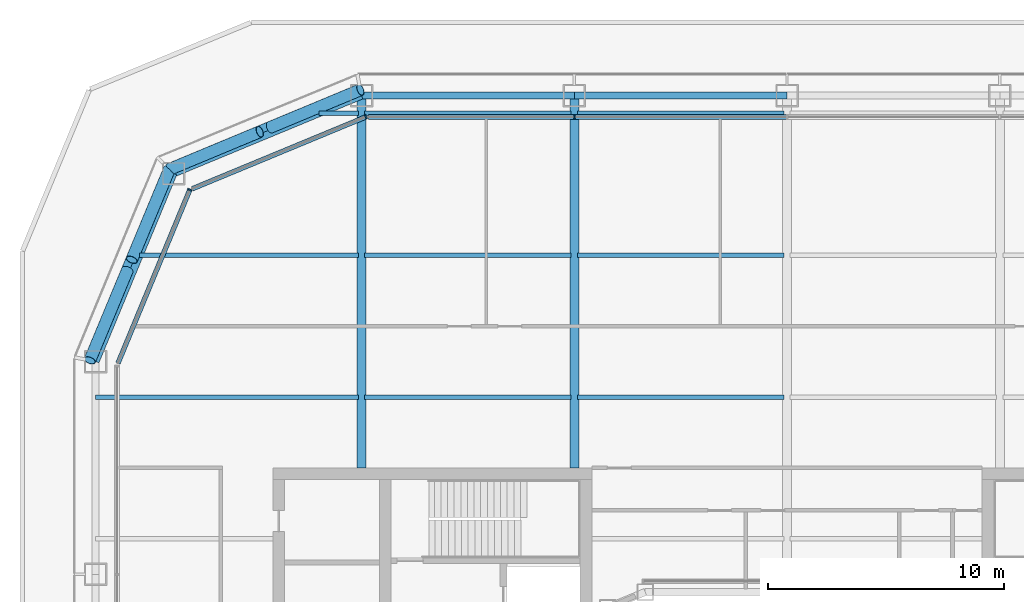
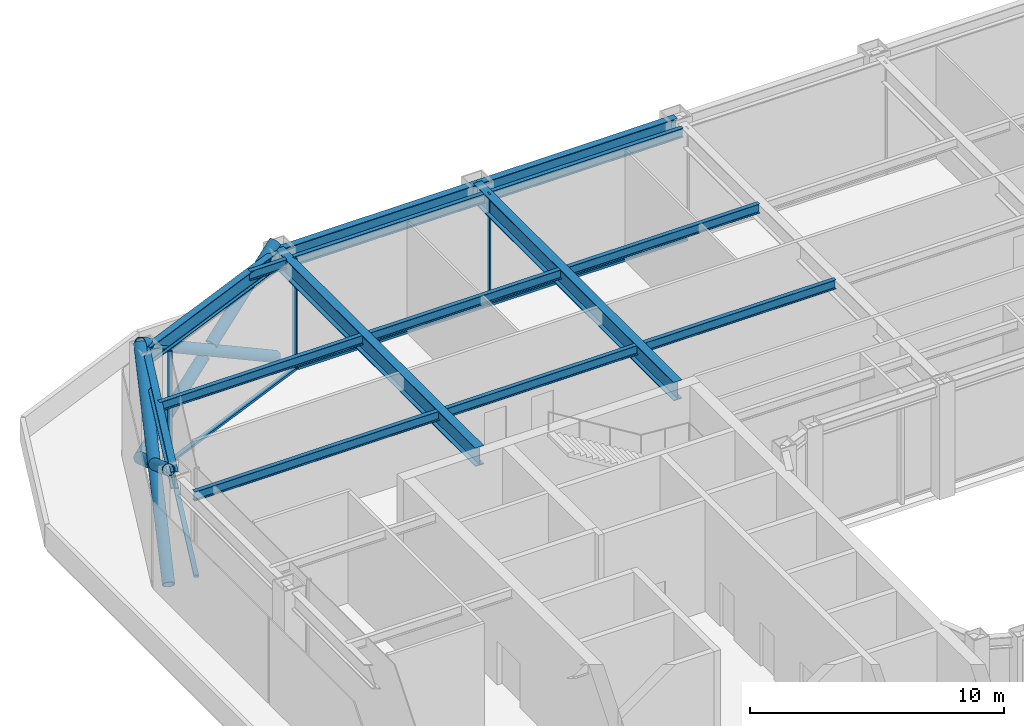
# One storey, part 7 of 21: 15 beams, 13 members, 3 elements without a shape of their own.
"""IFC4 building model written with IfcOpenShell, lengths in metres."""

from ifc_helpers import new_model, si_unit, direction, frame, origin, origin_2d, place, context, subcontext, project, spatial, rectangle, hollow_circle, i_section, extrude, material, layer, layer_set, material_profile, profile_set, type_object, element, aggregate, save


model = new_model("IFC4")

# Units and contexts
model_context = context("Model", 3, precision=1e-05, world=origin(), true_north=direction((0.0, 1.0)))
body_context = subcontext(model_context, "Body", "Model", "MODEL_VIEW")
ifc_project = project(units=[si_unit("LENGTHUNIT", "METRE"), si_unit("AREAUNIT", "SQUARE_METRE"), si_unit("VOLUMEUNIT", "CUBIC_METRE"), si_unit("PLANEANGLEUNIT", "RADIAN"), si_unit("MASSUNIT", "GRAM", prefix="KILO")], contexts=[model_context])

# Site, building, storey
site_placement = place(None, origin())
site = spatial("IfcSite", under=ifc_project, at=site_placement, CompositionType="ELEMENT")
building_placement = place(site_placement, origin())
building = spatial("IfcBuilding", under=site, at=building_placement, Name="Siwar Civic Tower", CompositionType="ELEMENT")
storey_placement = place(building_placement, frame((0.0, 0.0, 99.199951171875)))
storey = spatial("IfcBuildingStorey", under=building, at=storey_placement, Name="L21", CompositionType="ELEMENT", Elevation=99.199951171875)

# Curtain wall, member
ifc_material_1 = material(Name="Aluminium and glass", Category="aluminium")
ifc_layer_1 = layer(ifc_material_1, 0.199951171875)
ifc_layer_set_1 = layer_set([ifc_layer_1], Name="Aluminium and glass")
curtain_wall_type_1 = type_object("IfcCurtainWallType", Name="ENV-CW-B", PredefinedType="NOTDEFINED", material=ifc_layer_set_1)
curtain_wall_1_placement = place(storey_placement, origin())
curtain_wall_1 = element("IfcCurtainWall", 1, at=curtain_wall_1_placement, inside=storey, type_object=curtain_wall_type_1, Name="Curtain wall B N", PredefinedType="NOTDEFINED")
ifc_material_2 = material(Name="Aluminium 6063-T6", Category="aluminium")
ifc_material_profile_1 = material_profile(ifc_material_2, rectangle(XDim=0.199951171875, YDim=0.06494140625, at=origin_2d()), Name="AL 200x65")
ifc_profile_set_1 = profile_set([ifc_material_profile_1], Name="Aluminium 6063-T6")
member_type_1 = type_object("IfcMemberType", Name="ENV-MULLION-B", PredefinedType="MULLION", material=ifc_profile_set_1)
member_1_placement = place(storey_placement, frame((-9.0, 28.35009765625, 0.0), z_axis=(0.0, 0.0, 1.0), x_axis=(0.0, -1.0, 0.0)))
member_1 = element("IfcMember", 2, at=member_1_placement, type_object=member_type_1, Name="Mullion B N 4", PredefinedType="MULLION", context=body_context, shape_type="SweptSolid", body=[
    extrude(rectangle(XDim=0.199951171875, YDim=0.06494140625, at=origin_2d()), origin(), (0.0, 0.0, 1.0), 5.35009765625),
])

ifc_material_3 = material(Name="Aluminium clad insulated panel", Category="aluminium")
ifc_layer_2 = layer(ifc_material_3, 0.199951171875)
ifc_layer_set_2 = layer_set([ifc_layer_2], Name="Aluminium clad insulated panel")
curtain_wall_type_2 = type_object("IfcCurtainWallType", Name="ENV-CW-BX", PredefinedType="NOTDEFINED", material=ifc_layer_set_2)
curtain_wall_2_placement = place(storey_placement, origin())
curtain_wall_2 = element("IfcCurtainWall", 3, at=curtain_wall_2_placement, inside=storey, type_object=curtain_wall_type_2, Name="Curtain wall B NW1", PredefinedType="NOTDEFINED")
member_2_placement = place(storey_placement, frame((-17.821044921875, 28.35009765625, 0.0), z_axis=(0.0, 0.0, 1.0), x_axis=(0.382683432365, -0.923879532511, 0.0)))
member_2 = element("IfcMember", 4, at=member_2_placement, type_object=member_type_1, Name="Mullion B NW1 1", PredefinedType="MULLION", context=body_context, shape_type="SweptSolid", body=[
    extrude(rectangle(XDim=0.199951171875, YDim=0.06494140625, at=origin_2d()), origin(), (0.0, 0.0, 1.0), 5.35009765625),
])

curtain_wall_3_placement = place(storey_placement, origin())
curtain_wall_3 = element("IfcCurtainWall", 5, at=curtain_wall_3_placement, inside=storey, type_object=curtain_wall_type_2, Name="Curtain wall B NW2", PredefinedType="NOTDEFINED")
member_3_placement = place(storey_placement, frame((-25.26611328125, 25.26611328125, 0.0), z_axis=(0.0, 0.0, 1.0), x_axis=(0.923879532511, -0.382683432365, 0.0)))
member_3 = element("IfcMember", 6, at=member_3_placement, type_object=member_type_1, Name="Mullion B NW2 1", PredefinedType="MULLION", context=body_context, shape_type="SweptSolid", body=[
    extrude(rectangle(XDim=0.199951171875, YDim=0.06494140625, at=origin_2d()), origin(), (0.0, 0.0, 1.0), 5.35009765625),
])

# Member
ifc_material_4 = material(Name="Aluminium 6063-T6", Category="aluminium")
ifc_material_profile_2 = material_profile(ifc_material_4, rectangle(XDim=0.199951171875, YDim=0.110107421875, at=origin_2d()), Name="AL 200x110")
ifc_profile_set_2 = profile_set([ifc_material_profile_2], Name="Aluminium 6063-T6")
member_type_2 = type_object("IfcMemberType", Name="ENV-TRANSOM-B", PredefinedType="USERDEFINED", material=ifc_profile_set_2)
member_4_placement = place(storey_placement, frame((-0.032470703125, 28.35009765625, 0.054931640625), z_axis=(-1.0, 0.0, 0.0), x_axis=(0.0, -1.0, 0.0)))
member_4 = element("IfcMember", 7, at=member_4_placement, type_object=member_type_2, Name="Transom B N 3", ObjectType="TRANSOM", PredefinedType="USERDEFINED", context=body_context, shape_type="SweptSolid", body=[
    extrude(rectangle(XDim=0.199951171875, YDim=0.110107421875, at=origin_2d()), origin(), (0.0, 0.0, 1.0), 8.93505859375),
])

member_5_placement = place(storey_placement, frame((-9.032470703125, 28.35009765625, 0.054931640625), z_axis=(-1.0, 0.0, 0.0), x_axis=(0.0, -1.0, 0.0)))
member_5 = element("IfcMember", 8, at=member_5_placement, type_object=member_type_2, Name="Transom B N 4", ObjectType="TRANSOM", PredefinedType="USERDEFINED", context=body_context, shape_type="SweptSolid", body=[
    extrude(rectangle(XDim=0.199951171875, YDim=0.110107421875, at=origin_2d()), origin(), (0.0, 0.0, 1.0), 8.6748046875),
])

aggregate(curtain_wall_1, [member_1, member_4, member_5])

member_6_placement = place(storey_placement, frame((-17.85107421875, 28.337646484375, 0.054931640625), z_axis=(-0.92387279587, -0.382699695651, 0.0), x_axis=(0.382699695651, -0.92387279587, 0.0)))
member_6 = element("IfcMember", 9, at=member_6_placement, type_object=member_type_2, Name="Transom B NW1 1", ObjectType="TRANSOM", PredefinedType="USERDEFINED", context=body_context, shape_type="SweptSolid", body=[
    extrude(rectangle(XDim=0.199951171875, YDim=0.110107421875, at=origin_2d()), origin(), (0.0, 0.0, 1.0), 7.912353515625),
])

aggregate(curtain_wall_2, [member_2, member_6])

member_7_placement = place(storey_placement, frame((-25.278564453125, 25.236083984375, 0.054931640625), z_axis=(-0.382673358825, -0.923883705044, 0.0), x_axis=(0.923883705044, -0.382673358825, 0.0)))
member_7 = element("IfcMember", 10, at=member_7_placement, type_object=member_type_2, Name="Transom B NW2 1", ObjectType="TRANSOM", PredefinedType="USERDEFINED", context=body_context, shape_type="SweptSolid", body=[
    extrude(rectangle(XDim=0.199951171875, YDim=0.110107421875, at=origin_2d()), origin(), (0.0, 0.0, 1.0), 7.912353515625),
])

aggregate(curtain_wall_3, [member_3, member_7])

# Members
ifc_material_5 = material(Name="Steel S355", Category="steel")
ifc_material_profile_3 = material_profile(ifc_material_5, hollow_circle(Radius=0.25390625, WallThickness=0.02490234375, at=origin_2d()), Name="CHS508x25")
ifc_profile_set_3 = profile_set([ifc_material_profile_3], Name="Steel S355")
member_type_3 = type_object("IfcMemberType", Name="STR-BR-CHS508x25", PredefinedType="BRACE", material=ifc_profile_set_3)
member_8_placement = place(storey_placement, frame((-29.4951171875, 18.048828125, 0.0), z_axis=(0.325297769627, 0.781791416726, 0.531961974025), x_axis=(-0.923264922524, 0.384163874976, 0.0)))
element("IfcMember", 11, at=member_8_placement, inside=storey, type_object=member_type_3, Name="L21/brc/BNW1-0-0-1", PredefinedType="BRACE", context=body_context, shape_type="SweptSolid", body=[
    extrude(hollow_circle(Radius=0.25390625, WallThickness=0.02490234375, at=origin_2d()), origin(), (0.0, 0.0, 1.0), 10.339111328125),
])
member_9_placement = place(storey_placement, frame((-26.1318359375, 26.1318359375, 0.0), z_axis=(-0.32528364531, -0.781798459077, 0.531960261183), x_axis=(0.923272065995, -0.38414670655, 0.0)))
element("IfcMember", 12, at=member_9_placement, inside=storey, type_object=member_type_3, Name="L21/brc/BNW1-0-0-2", PredefinedType="BRACE", context=body_context, shape_type="SweptSolid", body=[
    extrude(hollow_circle(Radius=0.25390625, WallThickness=0.02490234375, at=origin_2d()), origin(), (0.0, 0.0, 1.0), 4.892822265625),
])
member_10_placement = place(storey_placement, frame((-27.903564453125, 21.873779296875, 2.8974609375), z_axis=(-0.325304970127, -0.781799810857, 0.531945234169), x_axis=(0.923263369469, -0.384167607428, 0.0)))
element("IfcMember", 13, at=member_10_placement, inside=storey, type_object=member_type_3, Name="L21/brc/BNW1-0-0-3", PredefinedType="BRACE", context=body_context, shape_type="SweptSolid", body=[
    extrude(hollow_circle(Radius=0.25390625, WallThickness=0.02490234375, at=origin_2d()), origin(), (0.0, 0.0, 1.0), 4.892578125),
])
member_11_placement = place(storey_placement, frame((-18.048828125, 29.4951171875, 0.0), z_axis=(-0.781791416726, -0.325297769627, 0.531961974025), x_axis=(0.384163874976, -0.923264922524, 0.0)))
element("IfcMember", 14, at=member_11_placement, inside=storey, type_object=member_type_3, Name="L21/brc/BNW1-0-0-0", PredefinedType="BRACE", context=body_context, shape_type="SweptSolid", body=[
    extrude(hollow_circle(Radius=0.25390625, WallThickness=0.02490234375, at=origin_2d()), origin(), (0.0, 0.0, 1.0), 10.339111328125),
])
member_12_placement = place(storey_placement, frame((-26.1318359375, 26.1318359375, 0.0), z_axis=(0.781798459077, 0.32528364531, 0.531960261183), x_axis=(-0.38414670655, 0.923272065995, 0.0)))
element("IfcMember", 15, at=member_12_placement, inside=storey, type_object=member_type_3, Name="L21/brc/BNW1-0-0-4", PredefinedType="BRACE", context=body_context, shape_type="SweptSolid", body=[
    extrude(hollow_circle(Radius=0.25390625, WallThickness=0.02490234375, at=origin_2d()), origin(), (0.0, 0.0, 1.0), 4.892822265625),
])
member_13_placement = place(storey_placement, frame((-21.873779296875, 27.903564453125, 2.8974609375), z_axis=(0.781799810857, 0.325304970127, 0.531945234169), x_axis=(-0.384167607428, 0.923263369469, 0.0)))
element("IfcMember", 16, at=member_13_placement, inside=storey, type_object=member_type_3, Name="L21/brc/BNW1-0-0-5", PredefinedType="BRACE", context=body_context, shape_type="SweptSolid", body=[
    extrude(hollow_circle(Radius=0.25390625, WallThickness=0.02490234375, at=origin_2d()), origin(), (0.0, 0.0, 1.0), 4.892578125),
])

# Beams
ifc_material_6 = material(Name="Steel S355", Category="steel")
ifc_material_profile_4 = material_profile(ifc_material_6, i_section(OverallWidth=0.18994140625, OverallDepth=0.449951171875, WebThickness=0.009521484375, FlangeThickness=0.0146484375, FilletRadius=0.02099609375, at=origin_2d()), Name="IPE450")
ifc_profile_set_4 = profile_set([ifc_material_profile_4], Name="Steel S355")
beam_type_1 = type_object("IfcBeamType", Name="STR-FB-IPE450", PredefinedType="JOIST", material=ifc_profile_set_4)
beam_1_placement = place(storey_placement, frame((-29.25, 16.5, 5.125), z_axis=(1.0, 0.0, 0.0), x_axis=(0.0, 1.0, 0.0)))
element("IfcBeam", 17, at=beam_1_placement, inside=storey, type_object=beam_type_1, Name="L21/bm/F031", PredefinedType="JOIST", context=body_context, shape_type="SweptSolid", body=[
    extrude(i_section(OverallWidth=0.18994140625, OverallDepth=0.449951171875, WebThickness=0.009521484375, FlangeThickness=0.0146484375, FilletRadius=0.02099609375, at=origin_2d()), origin(), (0.0, 0.0, 1.0), 11.1201171875),
])
for number, where, z_axis, x_axis, name in (
    (18, (-17.8701171875, 16.5, 5.125), (1.0, 0.0, 0.0), (0.0, 1.0, 0.0), "L21/bm/F032"),
    (19, (-8.8701171875, 16.5, 5.125), (1.0, 0.0, 0.0), (0.0, 1.0, 0.0), "L21/bm/F033"),
):
    element("IfcBeam", number, at=place(storey_placement, frame(where, z_axis=z_axis, x_axis=x_axis)), inside=storey, type_object=beam_type_1, Name=name, PredefinedType="JOIST", context=body_context, shape_type="SweptSolid", body=[
        extrude(i_section(OverallWidth=0.18994140625, OverallDepth=0.449951171875, WebThickness=0.009521484375, FlangeThickness=0.0146484375, FilletRadius=0.02099609375, at=origin_2d()), origin(), (0.0, 0.0, 1.0), 8.740234375),
    ])
beam_2_placement = place(storey_placement, frame((-27.385986328125, 22.5, 5.125), z_axis=(1.0, 0.0, 0.0), x_axis=(0.0, 1.0, 0.0)))
element("IfcBeam", 20, at=beam_2_placement, inside=storey, type_object=beam_type_1, Name="L21/bm/F037", PredefinedType="JOIST", context=body_context, shape_type="SweptSolid", body=[
    extrude(i_section(OverallWidth=0.18994140625, OverallDepth=0.449951171875, WebThickness=0.009521484375, FlangeThickness=0.0146484375, FilletRadius=0.02099609375, at=origin_2d()), origin(), (0.0, 0.0, 1.0), 9.256103515625),
])
for number, where, z_axis, x_axis, name in (
    (21, (-17.8701171875, 22.5, 5.125), (1.0, 0.0, 0.0), (0.0, 1.0, 0.0), "L21/bm/F038"),
    (22, (-8.8701171875, 22.5, 5.125), (1.0, 0.0, 0.0), (0.0, 1.0, 0.0), "L21/bm/F039"),
):
    element("IfcBeam", number, at=place(storey_placement, frame(where, z_axis=z_axis, x_axis=x_axis)), inside=storey, type_object=beam_type_1, Name=name, PredefinedType="JOIST", context=body_context, shape_type="SweptSolid", body=[
        extrude(i_section(OverallWidth=0.18994140625, OverallDepth=0.449951171875, WebThickness=0.009521484375, FlangeThickness=0.0146484375, FilletRadius=0.02099609375, at=origin_2d()), origin(), (0.0, 0.0, 1.0), 8.740234375),
    ])
beam_3_placement = place(storey_placement, frame((-19.810546875, 28.5, 5.125), z_axis=(1.0, 0.0, 0.0), x_axis=(0.0, 1.0, 0.0)))
element("IfcBeam", 23, at=beam_3_placement, inside=storey, type_object=beam_type_1, Name="L21/bm/F043", PredefinedType="JOIST", context=body_context, shape_type="SweptSolid", body=[
    extrude(i_section(OverallWidth=0.18994140625, OverallDepth=0.449951171875, WebThickness=0.009521484375, FlangeThickness=0.0146484375, FilletRadius=0.02099609375, at=origin_2d()), origin(), (0.0, 0.0, 1.0), 1.6806640625),
])
for number, where, z_axis, x_axis, name in (
    (24, (-17.8701171875, 28.5, 5.125), (1.0, 0.0, 0.0), (0.0, 1.0, 0.0), "L21/bm/F044"),
    (25, (-8.8701171875, 28.5, 5.125), (1.0, 0.0, 0.0), (0.0, 1.0, 0.0), "L21/bm/F045"),
):
    element("IfcBeam", number, at=place(storey_placement, frame(where, z_axis=z_axis, x_axis=x_axis)), inside=storey, type_object=beam_type_1, Name=name, PredefinedType="JOIST", context=body_context, shape_type="SweptSolid", body=[
        extrude(i_section(OverallWidth=0.18994140625, OverallDepth=0.449951171875, WebThickness=0.009521484375, FlangeThickness=0.0146484375, FilletRadius=0.02099609375, at=origin_2d()), origin(), (0.0, 0.0, 1.0), 8.740234375),
    ])
ifc_material_7 = material(Name="Steel S355", Category="steel")
ifc_material_profile_5 = material_profile(ifc_material_7, i_section(OverallWidth=0.3798828125, OverallDepth=0.89990234375, WebThickness=0.01611328125, FlangeThickness=0.035888671875, at=origin_2d()), Name="PG900x380x16x36")
ifc_profile_set_5 = profile_set([ifc_material_profile_5], Name="Steel S355")
beam_type_2 = type_object("IfcBeamType", Name="STR-PG-PG900x380x16x36", PredefinedType="BEAM", material=ifc_profile_set_5)
for number, where, z_axis, x_axis, name in (
    (26, (-18.0, 13.5, 4.900146484375), (0.0, 1.0, 0.0), (-1.0, 0.0, 0.0), "L21/bm/G02"),
    (27, (-9.0, 13.5, 4.900146484375), (0.0, 1.0, 0.0), (-1.0, 0.0, 0.0), "L21/bm/G04"),
):
    element("IfcBeam", number, at=place(storey_placement, frame(where, z_axis=z_axis, x_axis=x_axis)), inside=storey, type_object=beam_type_2, Name=name, PredefinedType="BEAM", context=body_context, shape_type="SweptSolid", body=[
        extrude(i_section(OverallWidth=0.3798828125, OverallDepth=0.89990234375, WebThickness=0.01611328125, FlangeThickness=0.035888671875, at=origin_2d()), origin(), (0.0, 0.0, 1.0), 15.75),
    ])
ifc_material_8 = material(Name="Steel S355", Category="steel")
ifc_material_profile_6 = material_profile(ifc_material_8, i_section(OverallWidth=0.300048828125, OverallDepth=0.800048828125, WebThickness=0.017578125, FlangeThickness=0.032958984375, FilletRadius=0.030029296875, at=origin_2d()), Name="HEB800")
ifc_profile_set_6 = profile_set([ifc_material_profile_6], Name="Steel S355")
beam_type_3 = type_object("IfcBeamType", Name="STR-SB-HEB800", PredefinedType="BEAM", material=ifc_profile_set_6)
for number, where, z_axis, x_axis, name in (
    (28, (0.0, 29.25, 4.949951171875), (-1.0, 0.0, 0.0), (0.0, -1.0, 0.0), "L21/bm/SN-2"),
    (29, (-9.0, 29.25, 4.949951171875), (-1.0, 0.0, 0.0), (0.0, -1.0, 0.0), "L21/bm/SN-3"),
):
    element("IfcBeam", number, at=place(storey_placement, frame(where, z_axis=z_axis, x_axis=x_axis)), inside=storey, type_object=beam_type_3, Name=name, PredefinedType="BEAM", context=body_context, shape_type="SweptSolid", body=[
        extrude(i_section(OverallWidth=0.300048828125, OverallDepth=0.800048828125, WebThickness=0.017578125, FlangeThickness=0.032958984375, FilletRadius=0.030029296875, at=origin_2d()), origin(), (0.0, 0.0, 1.0), 9.0),
    ])
for number, where, z_axis, x_axis, name in (
    (30, (-18.0, 29.25, 4.949951171875), (-0.923872720536, -0.382699877515, 0.0), (0.382699877515, -0.923872720536, 0.0), "L21/bm/SNW1-0"),
    (31, (-25.954833984375, 25.954833984375, 4.949951171875), (-0.382699877515, -0.923872720536, 0.0), (0.923872720536, -0.382699877515, 0.0), "L21/bm/SNW2-0"),
):
    element("IfcBeam", number, at=place(storey_placement, frame(where, z_axis=z_axis, x_axis=x_axis)), inside=storey, type_object=beam_type_3, Name=name, PredefinedType="BEAM", context=body_context, shape_type="SweptSolid", body=[
        extrude(i_section(OverallWidth=0.300048828125, OverallDepth=0.800048828125, WebThickness=0.017578125, FlangeThickness=0.032958984375, FilletRadius=0.030029296875, at=origin_2d()), origin(), (0.0, 0.0, 1.0), 8.6103515625),
    ])

save(model, "model.ifc")
